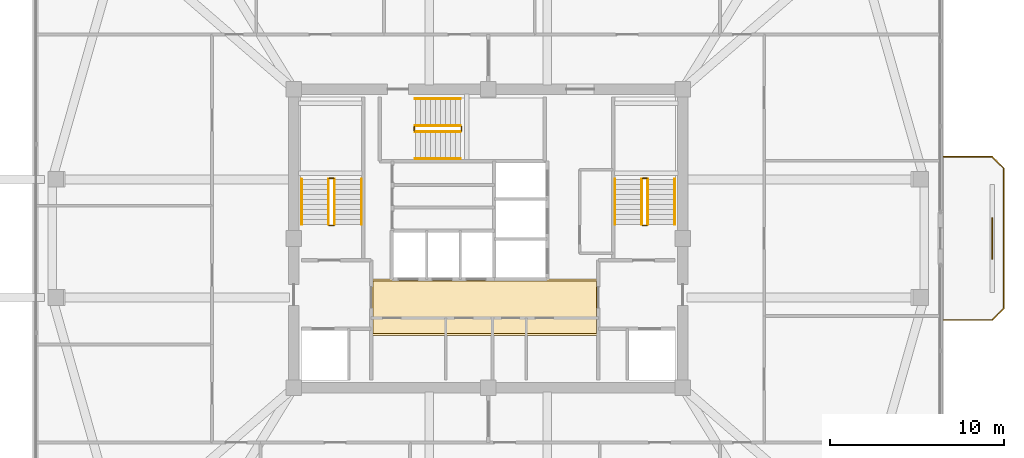
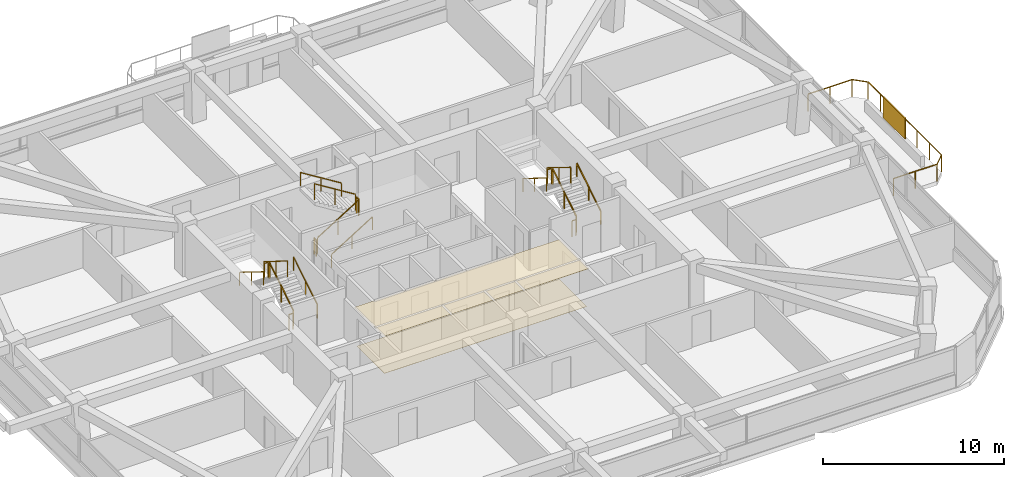
# One storey, part 13 of 14: 19 railings, 2 coverings, 1 shading device.
"""IFC4 building model written with IfcOpenShell, lengths in metres."""

from ifc_helpers import new_model, si_unit, derived_unit, direction, frame, origin, origin_2d, place, context, subcontext, project, spatial, polyline, rectangle, outline, extrude, material, layer, layer_set, type_object, element, save


model = new_model("IFC4")

# Units and contexts
model_context = context("Model", 3, precision=1e-05, world=origin(), true_north=direction((0.0, 1.0)))
body_context = subcontext(model_context, "Body", "Model", "MODEL_VIEW")
ifc_project = project(units=[si_unit("LENGTHUNIT", "METRE"), si_unit("AREAUNIT", "SQUARE_METRE"), si_unit("VOLUMEUNIT", "CUBIC_METRE"), si_unit("PLANEANGLEUNIT", "RADIAN"), si_unit("MASSUNIT", "GRAM", prefix="KILO"), derived_unit("THERMALTRANSMITTANCEUNIT", [(si_unit("POWERUNIT", "WATT"), 1), (si_unit("LENGTHUNIT", "METRE"), -2), (si_unit("THERMODYNAMICTEMPERATUREUNIT", "KELVIN"), -1)])], contexts=[model_context])

# Site, building, storey
site_placement = place(None, origin())
site = spatial("IfcSite", under=ifc_project, at=site_placement, CompositionType="ELEMENT")
building_placement = place(site_placement, origin())
building = spatial("IfcBuilding", under=site, at=building_placement, Name="Koralith Skygarden Medical Center", CompositionType="ELEMENT")
storey_placement = place(building_placement, frame((0.0, 0.0, 210.780029296875)))
storey = spatial("IfcBuildingStorey", under=building, at=storey_placement, Name="L54", CompositionType="ELEMENT", Elevation=210.780029296875)

# Covering
ifc_material_1 = material(Name="Acoustic Mineral Tile")
ifc_layer_1 = layer(ifc_material_1, 0.02001953125)
ifc_layer_set_1 = layer_set([ifc_layer_1], Name="Acoustic Mineral Tile")
covering_type_1 = type_object("IfcCoveringType", Name="Acoustic Hygienic Mineral Ceiling 20", PredefinedType="CEILING", material=ifc_layer_set_1)
covering_1_placement = place(storey_placement, frame((0.0, 0.0, 2.5849609375)))
element("IfcCovering", 1, at=covering_1_placement, inside=storey, type_object=covering_type_1, Name="L54 Core Lobby Acoustic Ceiling", PredefinedType="CEILING", context=body_context, shape_type="SweptSolid", body=[
    extrude(outline(polyline([(30.25, 20.320068359375), (43.35009765625, 20.320068359375), (43.35009765625, 23.56005859375), (30.25, 23.56005859375), (30.25, 20.320068359375)])), origin(), (0.0, 0.0, 1.0), 0.02001953125),
])

# Railing
ifc_material_2 = material(Name="Steel ASTM A500 Grade C", Category="steel")
railing_type_1 = type_object("IfcRailingType", Name="Outdoor Terrace & Balcony Safety Guardrail 1180", PredefinedType="GUARDRAIL", material=ifc_material_2)
railing_1_placement = place(storey_placement, frame((63.235107421875, 21.199951171875, 0.0)))
element("IfcRailing", 2, at=railing_1_placement, inside=storey, type_object=railing_type_1, Name="L54 E Balcony Perimeter Guardrail", PredefinedType="GUARDRAIL", context=body_context, shape_type="SweptSolid", body=[
    extrude(rectangle(XDim=0.050048828125, YDim=0.050048828125, at=origin_2d()), frame((0.001953125, 0.0, 1.15478515625), z_axis=(1.0, 0.0, 0.0), x_axis=(0.0, 1.0, 0.0)), (0.0, 0.0, 1.0), 2.7958984375),
    extrude(rectangle(XDim=0.050048828125, YDim=0.050048828125, at=origin_2d()), frame((2.80126953125, 0.00146484375, 1.15478515625), z_axis=(0.707106781187, 0.707106781187, 0.0), x_axis=(-0.707106781187, 0.707106781187, 0.0)), (0.0, 0.0, 1.0), 0.91552734375),
    extrude(rectangle(XDim=0.050048828125, YDim=0.050048828125, at=origin_2d()), frame((3.449951171875, 0.652099609375, 1.15478515625), z_axis=(0.0, 1.0, 0.0), x_axis=(-1.0, 0.0, 0.0)), (0.0, 0.0, 1.0), 8.095947265625),
    extrude(rectangle(XDim=0.050048828125, YDim=0.050048828125, at=origin_2d()), frame((3.448486328125, 8.75146484375, 1.15478515625), z_axis=(-0.707106781187, 0.707106781187, 0.0), x_axis=(-0.707106781187, -0.707106781187, 0.0)), (0.0, 0.0, 1.0), 0.91552734375),
    extrude(rectangle(XDim=0.050048828125, YDim=0.050048828125, at=origin_2d()), frame((2.7978515625, 9.400146484375, 1.15478515625), z_axis=(-1.0, 0.0, 0.0), x_axis=(0.0, -1.0, 0.0)), (0.0, 0.0, 1.0), 2.7958984375),
    extrude(rectangle(XDim=0.0419921875, YDim=0.0419921875, at=origin_2d()), origin(), (0.0, 0.0, 1.0), 1.1279296875),
    extrude(rectangle(XDim=0.0419921875, YDim=0.0419921875, at=origin_2d()), frame((1.39990234375, 0.0, 0.0)), (0.0, 0.0, 1.0), 1.1279296875),
    extrude(rectangle(XDim=0.0419921875, YDim=0.0419921875, at=origin_2d()), frame((2.7998046875, 0.0, 0.0)), (0.0, 0.0, 1.0), 1.1279296875),
    extrude(rectangle(XDim=0.0419921875, YDim=0.0419921875, at=origin_2d()), frame((3.449951171875, 0.650146484375, 0.0)), (0.0, 0.0, 1.0), 1.1279296875),
    extrude(rectangle(XDim=0.0419921875, YDim=0.0419921875, at=origin_2d()), frame((3.449951171875, 2.0, 0.0)), (0.0, 0.0, 1.0), 1.1279296875),
    extrude(rectangle(XDim=0.0419921875, YDim=0.0419921875, at=origin_2d()), frame((3.449951171875, 3.35009765625, 0.0)), (0.0, 0.0, 1.0), 1.1279296875),
    extrude(rectangle(XDim=0.0419921875, YDim=0.0419921875, at=origin_2d()), frame((3.449951171875, 4.7001953125, 0.0)), (0.0, 0.0, 1.0), 1.1279296875),
    extrude(rectangle(XDim=0.0419921875, YDim=0.0419921875, at=origin_2d()), frame((3.449951171875, 6.050048828125, 0.0)), (0.0, 0.0, 1.0), 1.1279296875),
    extrude(rectangle(XDim=0.0419921875, YDim=0.0419921875, at=origin_2d()), frame((3.449951171875, 7.39990234375, 0.0)), (0.0, 0.0, 1.0), 1.1279296875),
    extrude(rectangle(XDim=0.0419921875, YDim=0.0419921875, at=origin_2d()), frame((3.449951171875, 8.75, 0.0)), (0.0, 0.0, 1.0), 1.1279296875),
    extrude(rectangle(XDim=0.0419921875, YDim=0.0419921875, at=origin_2d()), frame((2.7998046875, 9.400146484375, 0.0)), (0.0, 0.0, 1.0), 1.1279296875),
    extrude(rectangle(XDim=0.0419921875, YDim=0.0419921875, at=origin_2d()), frame((1.39990234375, 9.400146484375, 0.0)), (0.0, 0.0, 1.0), 1.1279296875),
    extrude(rectangle(XDim=0.0419921875, YDim=0.0419921875, at=origin_2d()), frame((0.0, 9.400146484375, 0.0)), (0.0, 0.0, 1.0), 1.1279296875),
])

# Shading device
ifc_material_3 = material(Name="Aluminium 6063-T6", Category="aluminium")
ifc_layer_2 = layer(ifc_material_3, 0.080078125)
ifc_layer_set_2 = layer_set([ifc_layer_2], Name="Aluminium 6063-T6")
shading_device_type = type_object("IfcShadingDeviceType", Name="Perforated Biophilic Balcony Trellis Screen", PredefinedType="USERDEFINED", material=ifc_layer_set_2)
shading_device_placement = place(storey_placement, frame((66.034912109375, 25.89990234375, 0.719970703125), z_axis=(0.0, 0.0, 1.0), x_axis=(0.0, 1.0, 0.0)))
element("IfcShadingDevice", 3, at=shading_device_placement, inside=storey, type_object=shading_device_type, Name="L54 E Biophilic Balcony Trellis Screen", ObjectType="HURRICANE SCREEN", PredefinedType="USERDEFINED", context=body_context, shape_type="SweptSolid", body=[
    extrude(rectangle(XDim=2.39990234375, YDim=0.080078125, at=origin_2d()), origin(), (0.0, 0.0, 1.0), 1.39990234375),
])

# Covering
ifc_material_4 = material(Name="Medical Terrazzo Flooring")
ifc_layer_3 = layer(ifc_material_4, 0.014892578125)
ifc_layer_set_3 = layer_set([ifc_layer_3], Name="Medical Terrazzo Flooring")
covering_type_2 = type_object("IfcCoveringType", Name="Seamless Antimicrobial Terrazzo Flooring 15", PredefinedType="FLOORING", material=ifc_layer_set_3)
covering_2_placement = place(storey_placement, origin())
element("IfcCovering", 4, at=covering_2_placement, inside=storey, type_object=covering_type_2, Name="L54 Core Lobby Terrazzo Flooring", PredefinedType="FLOORING", context=body_context, shape_type="SweptSolid", body=[
    extrude(outline(polyline([(30.35009765625, 20.419921875), (43.25, 20.419921875), (43.25, 23.4599609375), (30.35009765625, 23.4599609375), (30.35009765625, 20.419921875)])), origin(), (0.0, 0.0, 1.0), 0.014892578125),
])

# Railings
railing_type_2 = type_object("IfcRailingType", Name="Stair Flight Tubular Handrail 920", PredefinedType="HANDRAIL", material=ifc_material_2)
railing_2_placement = place(storey_placement, frame((29.699951171875, 26.699951171875, 0.179931640625)))
element("IfcRailing", 5, at=railing_2_placement, inside=storey, type_object=railing_type_2, Name="L54 ST1 stair handrail 1", PredefinedType="HANDRAIL", context=body_context, shape_type="SweptSolid", body=[
    extrude(rectangle(XDim=0.050048828125, YDim=0.050048828125, at=origin_2d()), frame((0.0, 0.001708984375, 0.89599609375), z_axis=(0.0, 0.849632798774, 0.527374731332), x_axis=(-1.0, 0.0, 0.0)), (0.0, 0.0, 1.0), 3.068115234375),
    extrude(rectangle(XDim=0.0419921875, YDim=0.0419921875, at=origin_2d()), origin(), (0.0, 0.0, 1.0), 0.867919921875),
    extrude(rectangle(XDim=0.0419921875, YDim=0.0419921875, at=origin_2d()), frame((0.0, 1.30517578125, 0.81005859375)), (0.0, 0.0, 1.0), 0.867919921875),
    extrude(rectangle(XDim=0.0419921875, YDim=0.0419921875, at=origin_2d()), frame((0.0, 2.610107421875, 1.6201171875)), (0.0, 0.0, 1.0), 0.867919921875),
])
railing_3_placement = place(storey_placement, frame((26.25, 29.31005859375, 1.97998046875)))
element("IfcRailing", 6, at=railing_3_placement, inside=storey, type_object=railing_type_2, Name="L54 ST1 stair handrail 2", PredefinedType="HANDRAIL", context=body_context, shape_type="SweptSolid", body=[
    extrude(rectangle(XDim=0.050048828125, YDim=0.050048828125, at=origin_2d()), frame((0.0, -0.001708984375, 0.89599609375), z_axis=(0.0, -0.849668407637, 0.527317358963), x_axis=(1.0, 0.0, 0.0)), (0.0, 0.0, 1.0), 3.06787109375),
    extrude(rectangle(XDim=0.0419921875, YDim=0.0419921875, at=origin_2d()), origin(), (0.0, 0.0, 1.0), 0.867919921875),
    extrude(rectangle(XDim=0.0419921875, YDim=0.0419921875, at=origin_2d()), frame((0.0, -1.30517578125, 0.81005859375)), (0.0, 0.0, 1.0), 0.867919921875),
    extrude(rectangle(XDim=0.0419921875, YDim=0.0419921875, at=origin_2d()), frame((0.0, -2.610107421875, 1.619873046875)), (0.0, 0.0, 1.0), 0.867919921875),
])
railing_4_placement = place(storey_placement, frame((47.75, 26.699951171875, 0.179931640625)))
element("IfcRailing", 7, at=railing_4_placement, inside=storey, type_object=railing_type_2, Name="L54 ST2 stair handrail 1", PredefinedType="HANDRAIL", context=body_context, shape_type="SweptSolid", body=[
    extrude(rectangle(XDim=0.050048828125, YDim=0.050048828125, at=origin_2d()), frame((0.0, 0.001708984375, 0.89599609375), z_axis=(0.0, 0.849632798774, 0.527374731332), x_axis=(-1.0, 0.0, 0.0)), (0.0, 0.0, 1.0), 3.068115234375),
    extrude(rectangle(XDim=0.0419921875, YDim=0.0419921875, at=origin_2d()), origin(), (0.0, 0.0, 1.0), 0.867919921875),
    extrude(rectangle(XDim=0.0419921875, YDim=0.0419921875, at=origin_2d()), frame((0.0, 1.30517578125, 0.81005859375)), (0.0, 0.0, 1.0), 0.867919921875),
    extrude(rectangle(XDim=0.0419921875, YDim=0.0419921875, at=origin_2d()), frame((0.0, 2.610107421875, 1.6201171875)), (0.0, 0.0, 1.0), 0.867919921875),
])
railing_5_placement = place(storey_placement, frame((44.300048828125, 29.31005859375, 1.97998046875)))
element("IfcRailing", 8, at=railing_5_placement, inside=storey, type_object=railing_type_2, Name="L54 ST2 stair handrail 2", PredefinedType="HANDRAIL", context=body_context, shape_type="SweptSolid", body=[
    extrude(rectangle(XDim=0.050048828125, YDim=0.050048828125, at=origin_2d()), frame((0.0, -0.001708984375, 0.89599609375), z_axis=(0.0, -0.849668407637, 0.527317358963), x_axis=(1.0, 0.0, 0.0)), (0.0, 0.0, 1.0), 3.06787109375),
    extrude(rectangle(XDim=0.0419921875, YDim=0.0419921875, at=origin_2d()), origin(), (0.0, 0.0, 1.0), 0.867919921875),
    extrude(rectangle(XDim=0.0419921875, YDim=0.0419921875, at=origin_2d()), frame((0.0, -1.30517578125, 0.81005859375)), (0.0, 0.0, 1.0), 0.867919921875),
    extrude(rectangle(XDim=0.0419921875, YDim=0.0419921875, at=origin_2d()), frame((0.0, -2.610107421875, 1.619873046875)), (0.0, 0.0, 1.0), 0.867919921875),
])
railing_6_placement = place(storey_placement, frame((32.800048828125, 30.5, 0.179931640625)))
element("IfcRailing", 9, at=railing_6_placement, inside=storey, type_object=railing_type_2, Name="L54 ST3 stair handrail 1", PredefinedType="HANDRAIL", context=body_context, shape_type="SweptSolid", body=[
    extrude(rectangle(XDim=0.050048828125, YDim=0.050048828125, at=origin_2d()), frame((0.001708984375, 0.0, 0.89599609375), z_axis=(0.849610693518, 0.0, 0.52741034258), x_axis=(0.0, 1.0, 0.0)), (0.0, 0.0, 1.0), 3.06787109375),
    extrude(rectangle(XDim=0.0419921875, YDim=0.0419921875, at=origin_2d()), origin(), (0.0, 0.0, 1.0), 0.867919921875),
    extrude(rectangle(XDim=0.0419921875, YDim=0.0419921875, at=origin_2d()), frame((1.304931640625, 0.0, 0.81005859375)), (0.0, 0.0, 1.0), 0.867919921875),
    extrude(rectangle(XDim=0.0419921875, YDim=0.0419921875, at=origin_2d()), frame((2.60986328125, 0.0, 1.6201171875)), (0.0, 0.0, 1.0), 0.867919921875),
])
railing_7_placement = place(storey_placement, frame((35.409912109375, 33.949951171875, 1.97998046875)))
element("IfcRailing", 10, at=railing_7_placement, inside=storey, type_object=railing_type_2, Name="L54 ST3 stair handrail 2", PredefinedType="HANDRAIL", context=body_context, shape_type="SweptSolid", body=[
    extrude(rectangle(XDim=0.050048828125, YDim=0.050048828125, at=origin_2d()), frame((-0.001708984375, 0.0, 0.89599609375), z_axis=(-0.849646306263, 0.0, 0.527352969322), x_axis=(0.0, -1.0, 0.0)), (0.0, 0.0, 1.0), 3.067626953125),
    extrude(rectangle(XDim=0.0419921875, YDim=0.0419921875, at=origin_2d()), origin(), (0.0, 0.0, 1.0), 0.867919921875),
    extrude(rectangle(XDim=0.0419921875, YDim=0.0419921875, at=origin_2d()), frame((-1.304931640625, 0.0, 0.81005859375)), (0.0, 0.0, 1.0), 0.867919921875),
    extrude(rectangle(XDim=0.0419921875, YDim=0.0419921875, at=origin_2d()), frame((-2.60986328125, 0.0, 1.619873046875)), (0.0, 0.0, 1.0), 0.867919921875),
])
railing_type_3 = type_object("IfcRailingType", Name="Stair Well Safety Guardrail 1100", PredefinedType="GUARDRAIL", material=ifc_material_2)
railing_8_placement = place(storey_placement, frame((28.14990234375, 26.699951171875, 0.179931640625)))
element("IfcRailing", 11, at=railing_8_placement, inside=storey, type_object=railing_type_3, Name="L54 ST1 stair guard 1", PredefinedType="GUARDRAIL", context=body_context, shape_type="SweptSolid", body=[
    extrude(rectangle(XDim=0.050048828125, YDim=0.050048828125, at=origin_2d()), frame((0.0, 0.001708984375, 1.076171875), z_axis=(0.0, 0.849632798774, 0.527374731332), x_axis=(-1.0, 0.0, 0.0)), (0.0, 0.0, 1.0), 3.068115234375),
    extrude(rectangle(XDim=0.0419921875, YDim=0.0419921875, at=origin_2d()), origin(), (0.0, 0.0, 1.0), 1.048095703125),
    extrude(rectangle(XDim=0.0419921875, YDim=0.0419921875, at=origin_2d()), frame((0.0, 1.30517578125, 0.81005859375)), (0.0, 0.0, 1.0), 1.048095703125),
    extrude(rectangle(XDim=0.0419921875, YDim=0.0419921875, at=origin_2d()), frame((0.0, 2.610107421875, 1.6201171875)), (0.0, 0.0, 1.0), 1.048095703125),
])
railing_9_placement = place(storey_placement, frame((28.10009765625, 29.360107421875, 1.800048828125)))
element("IfcRailing", 12, at=railing_9_placement, inside=storey, type_object=railing_type_3, Name="L54 ST1 stair guard 2", PredefinedType="GUARDRAIL", context=body_context, shape_type="SweptSolid", body=[
    extrude(rectangle(XDim=0.050048828125, YDim=0.050048828125, at=origin_2d()), frame((-0.001953125, 0.0, 1.0751953125), z_axis=(-1.0, 0.0, 0.0), x_axis=(0.0, -1.0, 0.0)), (0.0, 0.0, 1.0), 0.24609375),
    extrude(rectangle(XDim=0.0419921875, YDim=0.0419921875, at=origin_2d()), origin(), (0.0, 0.0, 1.0), 1.048095703125),
    extrude(rectangle(XDim=0.0419921875, YDim=0.0419921875, at=origin_2d()), frame((-0.25, 0.0, 0.0)), (0.0, 0.0, 1.0), 1.048095703125),
])
railing_10_placement = place(storey_placement, frame((27.800048828125, 29.31005859375, 1.97998046875)))
element("IfcRailing", 13, at=railing_10_placement, inside=storey, type_object=railing_type_3, Name="L54 ST1 stair guard 3", PredefinedType="GUARDRAIL", context=body_context, shape_type="SweptSolid", body=[
    extrude(rectangle(XDim=0.050048828125, YDim=0.050048828125, at=origin_2d()), frame((0.0, -0.001708984375, 1.076171875), z_axis=(0.0, -0.849668407637, 0.527317358963), x_axis=(1.0, 0.0, 0.0)), (0.0, 0.0, 1.0), 3.06787109375),
    extrude(rectangle(XDim=0.0419921875, YDim=0.0419921875, at=origin_2d()), origin(), (0.0, 0.0, 1.0), 1.048095703125),
    extrude(rectangle(XDim=0.0419921875, YDim=0.0419921875, at=origin_2d()), frame((0.0, -1.30517578125, 0.81005859375)), (0.0, 0.0, 1.0), 1.048095703125),
    extrude(rectangle(XDim=0.0419921875, YDim=0.0419921875, at=origin_2d()), frame((0.0, -2.610107421875, 1.619873046875)), (0.0, 0.0, 1.0), 1.048095703125),
])
railing_11_placement = place(storey_placement, frame((28.10009765625, 26.64990234375, 0.0)))
element("IfcRailing", 14, at=railing_11_placement, inside=storey, type_object=railing_type_3, Name="L54 ST1 stair guard 4", PredefinedType="GUARDRAIL", context=body_context, shape_type="SweptSolid", body=[
    extrude(rectangle(XDim=0.050048828125, YDim=0.050048828125, at=origin_2d()), frame((-0.001953125, 0.0, 1.0751953125), z_axis=(-1.0, 0.0, 0.0), x_axis=(0.0, -1.0, 0.0)), (0.0, 0.0, 1.0), 0.24609375),
    extrude(rectangle(XDim=0.0419921875, YDim=0.0419921875, at=origin_2d()), origin(), (0.0, 0.0, 1.0), 1.048095703125),
    extrude(rectangle(XDim=0.0419921875, YDim=0.0419921875, at=origin_2d()), frame((-0.25, 0.0, 0.0)), (0.0, 0.0, 1.0), 1.048095703125),
])
railing_12_placement = place(storey_placement, frame((46.199951171875, 26.699951171875, 0.179931640625)))
element("IfcRailing", 15, at=railing_12_placement, inside=storey, type_object=railing_type_3, Name="L54 ST2 stair guard 1", PredefinedType="GUARDRAIL", context=body_context, shape_type="SweptSolid", body=[
    extrude(rectangle(XDim=0.050048828125, YDim=0.050048828125, at=origin_2d()), frame((0.0, 0.001708984375, 1.076171875), z_axis=(0.0, 0.849632798774, 0.527374731332), x_axis=(-1.0, 0.0, 0.0)), (0.0, 0.0, 1.0), 3.068115234375),
    extrude(rectangle(XDim=0.0419921875, YDim=0.0419921875, at=origin_2d()), origin(), (0.0, 0.0, 1.0), 1.048095703125),
    extrude(rectangle(XDim=0.0419921875, YDim=0.0419921875, at=origin_2d()), frame((0.0, 1.30517578125, 0.81005859375)), (0.0, 0.0, 1.0), 1.048095703125),
    extrude(rectangle(XDim=0.0419921875, YDim=0.0419921875, at=origin_2d()), frame((0.0, 2.610107421875, 1.6201171875)), (0.0, 0.0, 1.0), 1.048095703125),
])
railing_13_placement = place(storey_placement, frame((46.14990234375, 29.360107421875, 1.800048828125)))
element("IfcRailing", 16, at=railing_13_placement, inside=storey, type_object=railing_type_3, Name="L54 ST2 stair guard 2", PredefinedType="GUARDRAIL", context=body_context, shape_type="SweptSolid", body=[
    extrude(rectangle(XDim=0.050048828125, YDim=0.050048828125, at=origin_2d()), frame((-0.001953125, 0.0, 1.0751953125), z_axis=(-1.0, 0.0, 0.0), x_axis=(0.0, -1.0, 0.0)), (0.0, 0.0, 1.0), 0.24609375),
    extrude(rectangle(XDim=0.0419921875, YDim=0.0419921875, at=origin_2d()), origin(), (0.0, 0.0, 1.0), 1.048095703125),
    extrude(rectangle(XDim=0.0419921875, YDim=0.0419921875, at=origin_2d()), frame((-0.25, 0.0, 0.0)), (0.0, 0.0, 1.0), 1.048095703125),
])
railing_14_placement = place(storey_placement, frame((45.85009765625, 29.31005859375, 1.97998046875)))
element("IfcRailing", 17, at=railing_14_placement, inside=storey, type_object=railing_type_3, Name="L54 ST2 stair guard 3", PredefinedType="GUARDRAIL", context=body_context, shape_type="SweptSolid", body=[
    extrude(rectangle(XDim=0.050048828125, YDim=0.050048828125, at=origin_2d()), frame((0.0, -0.001708984375, 1.076171875), z_axis=(0.0, -0.849668407637, 0.527317358963), x_axis=(1.0, 0.0, 0.0)), (0.0, 0.0, 1.0), 3.06787109375),
    extrude(rectangle(XDim=0.0419921875, YDim=0.0419921875, at=origin_2d()), origin(), (0.0, 0.0, 1.0), 1.048095703125),
    extrude(rectangle(XDim=0.0419921875, YDim=0.0419921875, at=origin_2d()), frame((0.0, -1.30517578125, 0.81005859375)), (0.0, 0.0, 1.0), 1.048095703125),
    extrude(rectangle(XDim=0.0419921875, YDim=0.0419921875, at=origin_2d()), frame((0.0, -2.610107421875, 1.619873046875)), (0.0, 0.0, 1.0), 1.048095703125),
])
railing_15_placement = place(storey_placement, frame((46.14990234375, 26.64990234375, 0.0)))
element("IfcRailing", 18, at=railing_15_placement, inside=storey, type_object=railing_type_3, Name="L54 ST2 stair guard 4", PredefinedType="GUARDRAIL", context=body_context, shape_type="SweptSolid", body=[
    extrude(rectangle(XDim=0.050048828125, YDim=0.050048828125, at=origin_2d()), frame((-0.001953125, 0.0, 1.0751953125), z_axis=(-1.0, 0.0, 0.0), x_axis=(0.0, -1.0, 0.0)), (0.0, 0.0, 1.0), 0.24609375),
    extrude(rectangle(XDim=0.0419921875, YDim=0.0419921875, at=origin_2d()), origin(), (0.0, 0.0, 1.0), 1.048095703125),
    extrude(rectangle(XDim=0.0419921875, YDim=0.0419921875, at=origin_2d()), frame((-0.25, 0.0, 0.0)), (0.0, 0.0, 1.0), 1.048095703125),
])
railing_16_placement = place(storey_placement, frame((32.800048828125, 32.050048828125, 0.179931640625)))
element("IfcRailing", 19, at=railing_16_placement, inside=storey, type_object=railing_type_3, Name="L54 ST3 stair guard 1", PredefinedType="GUARDRAIL", context=body_context, shape_type="SweptSolid", body=[
    extrude(rectangle(XDim=0.050048828125, YDim=0.050048828125, at=origin_2d()), frame((0.001708984375, 0.0, 1.076171875), z_axis=(0.849610693518, 0.0, 0.52741034258), x_axis=(0.0, 1.0, 0.0)), (0.0, 0.0, 1.0), 3.06787109375),
    extrude(rectangle(XDim=0.0419921875, YDim=0.0419921875, at=origin_2d()), origin(), (0.0, 0.0, 1.0), 1.048095703125),
    extrude(rectangle(XDim=0.0419921875, YDim=0.0419921875, at=origin_2d()), frame((1.304931640625, 0.0, 0.81005859375)), (0.0, 0.0, 1.0), 1.048095703125),
    extrude(rectangle(XDim=0.0419921875, YDim=0.0419921875, at=origin_2d()), frame((2.60986328125, 0.0, 1.6201171875)), (0.0, 0.0, 1.0), 1.048095703125),
])
railing_17_placement = place(storey_placement, frame((35.4599609375, 32.10009765625, 1.800048828125)))
element("IfcRailing", 20, at=railing_17_placement, inside=storey, type_object=railing_type_3, Name="L54 ST3 stair guard 2", PredefinedType="GUARDRAIL", context=body_context, shape_type="SweptSolid", body=[
    extrude(rectangle(XDim=0.050048828125, YDim=0.050048828125, at=origin_2d()), frame((0.0, 0.001953125, 1.0751953125), z_axis=(0.0, 1.0, 0.0), x_axis=(-1.0, 0.0, 0.0)), (0.0, 0.0, 1.0), 0.24609375),
    extrude(rectangle(XDim=0.0419921875, YDim=0.0419921875, at=origin_2d()), origin(), (0.0, 0.0, 1.0), 1.048095703125),
    extrude(rectangle(XDim=0.0419921875, YDim=0.0419921875, at=origin_2d()), frame((0.0, 0.25, 0.0)), (0.0, 0.0, 1.0), 1.048095703125),
])
railing_18_placement = place(storey_placement, frame((35.409912109375, 32.39990234375, 1.97998046875)))
element("IfcRailing", 21, at=railing_18_placement, inside=storey, type_object=railing_type_3, Name="L54 ST3 stair guard 3", PredefinedType="GUARDRAIL", context=body_context, shape_type="SweptSolid", body=[
    extrude(rectangle(XDim=0.050048828125, YDim=0.050048828125, at=origin_2d()), frame((-0.001708984375, 0.0, 1.076171875), z_axis=(-0.849646306263, 0.0, 0.527352969322), x_axis=(0.0, -1.0, 0.0)), (0.0, 0.0, 1.0), 3.067626953125),
    extrude(rectangle(XDim=0.0419921875, YDim=0.0419921875, at=origin_2d()), origin(), (0.0, 0.0, 1.0), 1.048095703125),
    extrude(rectangle(XDim=0.0419921875, YDim=0.0419921875, at=origin_2d()), frame((-1.304931640625, 0.0, 0.81005859375)), (0.0, 0.0, 1.0), 1.048095703125),
    extrude(rectangle(XDim=0.0419921875, YDim=0.0419921875, at=origin_2d()), frame((-2.60986328125, 0.0, 1.619873046875)), (0.0, 0.0, 1.0), 1.048095703125),
])
railing_19_placement = place(storey_placement, frame((32.75, 32.10009765625, 0.0)))
element("IfcRailing", 22, at=railing_19_placement, inside=storey, type_object=railing_type_3, Name="L54 ST3 stair guard 4", PredefinedType="GUARDRAIL", context=body_context, shape_type="SweptSolid", body=[
    extrude(rectangle(XDim=0.050048828125, YDim=0.050048828125, at=origin_2d()), frame((0.0, 0.001953125, 1.0751953125), z_axis=(0.0, 1.0, 0.0), x_axis=(-1.0, 0.0, 0.0)), (0.0, 0.0, 1.0), 0.24609375),
    extrude(rectangle(XDim=0.0419921875, YDim=0.0419921875, at=origin_2d()), origin(), (0.0, 0.0, 1.0), 1.048095703125),
    extrude(rectangle(XDim=0.0419921875, YDim=0.0419921875, at=origin_2d()), frame((0.0, 0.25, 0.0)), (0.0, 0.0, 1.0), 1.048095703125),
])

save(model, "model.ifc")
